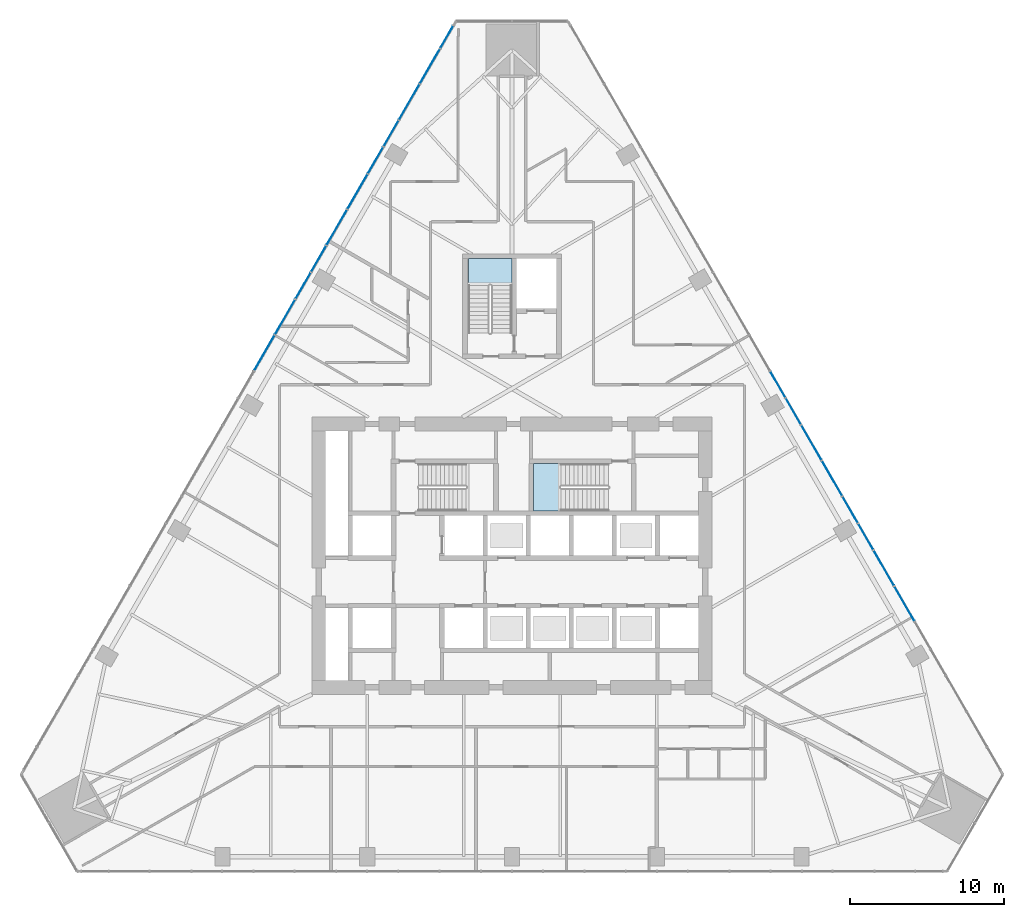
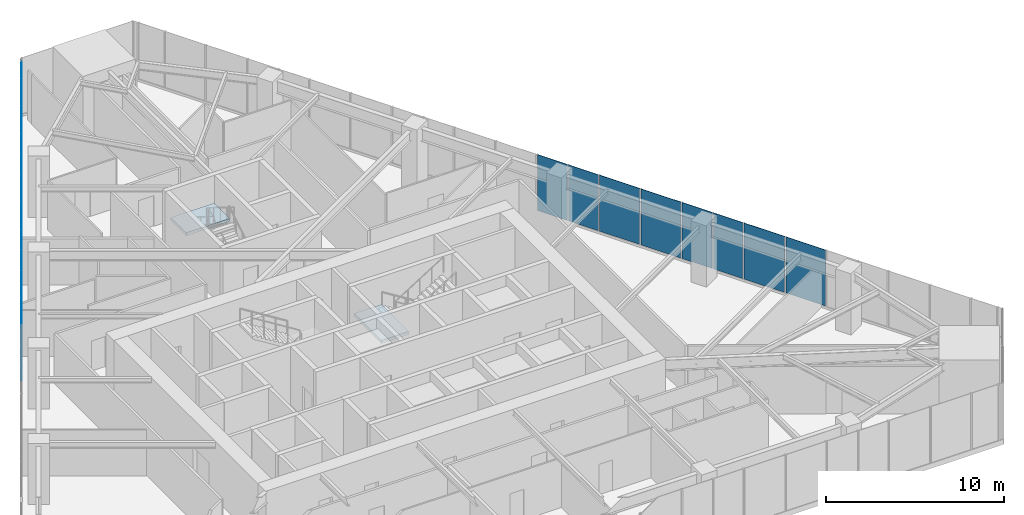
# One storey, part 14 of 21: 19 plates, 2 slabs, 4 elements without a shape of their own.
"""IFC4 building model written with IfcOpenShell, lengths in metres."""

from ifc_helpers import new_model, si_unit, direction, frame, origin, place, context, subcontext, project, spatial, polyline, outline, extrude, material, layer, layer_set, type_object, element, aggregate, save


model = new_model("IFC4")

# Units and contexts
model_context = context("Model", 3, precision=1e-05, world=origin(), true_north=direction((0.0, 1.0)))
body_context = subcontext(model_context, "Body", "Model", "MODEL_VIEW")
ifc_project = project(units=[si_unit("LENGTHUNIT", "METRE"), si_unit("AREAUNIT", "SQUARE_METRE"), si_unit("VOLUMEUNIT", "CUBIC_METRE"), si_unit("PLANEANGLEUNIT", "RADIAN"), si_unit("MASSUNIT", "GRAM", prefix="KILO")], contexts=[model_context])

# Site, building, storey
site_placement = place(None, origin())
site = spatial("IfcSite", under=ifc_project, at=site_placement, CompositionType="ELEMENT")
building_placement = place(site_placement, origin())
building = spatial("IfcBuilding", under=site, at=building_placement, Name="Firuza Gate Tower and Library", CompositionType="ELEMENT")
storey_placement = place(building_placement, frame((0.0, 0.0, 98.800048828125)))
storey = spatial("IfcBuildingStorey", under=building, at=storey_placement, Name="L22", CompositionType="ELEMENT", Elevation=98.800048828125)

# Curtain wall, plates
ifc_material_1 = material(Name="Aluminium 6063-T6", Category="aluminium")
ifc_layer_1 = layer(ifc_material_1, 0.14990234375)
ifc_layer_set_1 = layer_set([ifc_layer_1], Name="Unitised curtain wall, offices")
curtain_wall_type = type_object("IfcCurtainWallType", Name="Unitised curtain wall, offices", PredefinedType="NOTDEFINED", material=ifc_layer_set_1)
placement_1 = place(storey_placement, origin())
curtain_wall_1 = element("IfcCurtainWall", 1, at=placement_1, inside=storey, type_object=curtain_wall_type, Name="CW1 L22 E face", PredefinedType="NOTDEFINED")
ifc_material_2 = material(Name="Fritted glass", Category="glass")
ifc_layer_2 = layer(ifc_material_2, 0.030029296875)
ifc_layer_set_2 = layer_set([ifc_layer_2], Name="Fritted glass unit, offices")
plate_type_1 = type_object("IfcPlateType", Name="Fritted glass unit, offices", PredefinedType="CURTAIN_PANEL", material=ifc_layer_set_2)
plate_1_placement = place(storey_placement, frame((98.47314453125, 75.41162109375, 0.14990234375), z_axis=(0.866022735809, 0.500004621041, 0.0), x_axis=(-0.500004621041, 0.866022735809, 0.0)))
plate_1 = element("IfcPlate", 2, at=plate_1_placement, type_object=plate_type_1, Name="Glass unit", PredefinedType="CURTAIN_PANEL", context=body_context, shape_type="SweptSolid", body=[
    extrude(outline(polyline([(0.0, 0.0), (1.9223455147749466, 0.0), (1.9223455147749466, 3.85009765625), (0.0, 3.85009765625), (0.0, 0.0)])), origin(), (0.0, 0.0, -1.0), 0.030029296875),
])
plate_2_placement = place(storey_placement, frame((97.471923828125, 77.1455078125, 0.14990234375), z_axis=(0.866016800201, 0.500014901547, 0.0), x_axis=(-0.500014901547, 0.866016800201, 0.0)))
plate_2 = element("IfcPlate", 3, at=plate_2_placement, type_object=plate_type_1, Name="Glass unit", PredefinedType="CURTAIN_PANEL", context=body_context, shape_type="SweptSolid", body=[
    extrude(outline(polyline([(0.0, 0.0), (1.9511137257751934, 0.0), (1.9511137257751934, 3.850097656250001), (0.0, 3.850097656250001), (0.0, 0.0)])), origin(), (0.0, 0.0, -1.0), 0.030029296875),
])
plate_3_placement = place(storey_placement, frame((93.771240234375, 83.55517578125, 0.14990234375), z_axis=(0.866047038303, 0.499962526042, 0.0), x_axis=(-0.499962526042, 0.866047038303, 0.0)))
plate_3 = element("IfcPlate", 4, at=plate_3_placement, type_object=plate_type_1, Name="Glass unit", PredefinedType="CURTAIN_PANEL", context=body_context, shape_type="SweptSolid", body=[
    extrude(outline(polyline([(0.0, 0.0), (1.936668586773777, 0.0), (1.936668586773777, 3.85009765625), (0.0, 3.85009765625), (0.0, 0.0)])), origin(), (0.0, 0.0, -1.0), 0.030029296875),
])
plate_4_placement = place(storey_placement, frame((92.762939453125, 85.3017578125, 0.14990234375), z_axis=(0.866047038303, 0.499962526042, 0.0), x_axis=(-0.499962526042, 0.866047038303, 0.0)))
plate_4 = element("IfcPlate", 5, at=plate_4_placement, type_object=plate_type_1, Name="Glass unit", PredefinedType="CURTAIN_PANEL", context=body_context, shape_type="SweptSolid", body=[
    extrude(outline(polyline([(0.0, 0.0), (1.936668586773777, 0.0), (1.936668586773777, 3.85009765625), (0.0, 3.85009765625), (0.0, 0.0)])), origin(), (0.0, 0.0, -1.0), 0.030029296875),
])

curtain_wall_2 = element("IfcCurtainWall", 6, at=placement_1, inside=storey, type_object=curtain_wall_type, Name="CW1 L22 W face", PredefinedType="NOTDEFINED")
plate_5_placement = place(storey_placement, frame((71.158203125, 109.413818359375, 0.14990234375), z_axis=(-0.866020385251, 0.500008692254, 0.0), x_axis=(-0.500008692254, -0.866020385251, 0.0)))
plate_5 = element("IfcPlate", 7, at=plate_5_placement, type_object=plate_type_1, Name="Glass unit", PredefinedType="CURTAIN_PANEL", context=body_context, shape_type="SweptSolid", body=[
    extrude(outline(polyline([(0.0, 0.0), (1.6488971159851995, 0.0), (1.6488971159851995, 3.85009765625), (0.0, 3.85009765625), (0.0, 0.0)])), origin(), (0.0, 0.0, -1.0), 0.030029296875),
])
plate_6_placement = place(storey_placement, frame((67.608642578125, 103.26611328125, 0.14990234375), z_axis=(-0.866053474134, 0.499951377577, 0.0), x_axis=(-0.499951377577, -0.866053474134, 0.0)))
plate_6 = element("IfcPlate", 8, at=plate_6_placement, type_object=plate_type_1, Name="Glass unit", PredefinedType="CURTAIN_PANEL", context=body_context, shape_type="SweptSolid", body=[
    extrude(outline(polyline([(0.0, 0.0), (1.9079003772288752, 0.0), (1.9079003772288752, 3.85009765625), (0.0, 3.85009765625), (0.0, 0.0)])), origin(), (0.0, 0.0, -1.0), 0.030029296875),
])
plate_7_placement = place(storey_placement, frame((66.61474609375, 101.54443359375, 0.14990234375), z_axis=(-0.866040790738, 0.499973348067, 0.0), x_axis=(-0.499973348067, -0.866040790738, 0.0)))
plate_7 = element("IfcPlate", 9, at=plate_7_placement, type_object=plate_type_1, Name="Glass unit", PredefinedType="CURTAIN_PANEL", context=body_context, shape_type="SweptSolid", body=[
    extrude(outline(polyline([(0.0, 0.0), (1.9654367966302058, 0.0), (1.9654367966302058, 3.85009765625), (0.0, 3.85009765625), (0.0, 0.0)])), origin(), (0.0, 0.0, -1.0), 0.030029296875),
])
plate_8_placement = place(storey_placement, frame((62.906982421875, 95.12255859375, 0.14990234375), z_axis=(-0.866022735809, 0.500004621041, 0.0), x_axis=(-0.500004621041, -0.866022735809, 0.0)))
plate_8 = element("IfcPlate", 10, at=plate_8_placement, type_object=plate_type_1, Name="Glass unit", PredefinedType="CURTAIN_PANEL", context=body_context, shape_type="SweptSolid", body=[
    extrude(outline(polyline([(0.0, 0.0), (1.9223455147749466, 0.0), (1.9223455147749466, 3.85009765625), (0.0, 3.85009765625), (0.0, 0.0)])), origin(), (0.0, 0.0, -1.0), 0.030029296875),
])
plate_9_placement = place(storey_placement, frame((61.906005859375, 93.388427734375, 0.14990234375), z_axis=(-0.866016800201, 0.500014901547, 0.0), x_axis=(-0.500014901547, -0.866016800201, 0.0)))
plate_9 = element("IfcPlate", 11, at=plate_9_placement, type_object=plate_type_1, Name="Glass unit", PredefinedType="CURTAIN_PANEL", context=body_context, shape_type="SweptSolid", body=[
    extrude(outline(polyline([(0.0, 0.0), (1.9511137257751934, 0.0), (1.9511137257751934, 3.850097656250001), (0.0, 3.850097656250001), (0.0, 0.0)])), origin(), (0.0, 0.0, -1.0), 0.030029296875),
])

# Plate
ifc_material_3 = material(Name="Glazed ceramic tile")
ifc_layer_3 = layer(ifc_material_3, 0.030029296875)
ifc_layer_set_3 = layer_set([ifc_layer_3], Name="Opaque ceramic panel, offices")
plate_type_2 = type_object("IfcPlateType", Name="Opaque ceramic panel, offices", PredefinedType="CURTAIN_PANEL", material=ifc_layer_set_3)
plate_10_placement = place(storey_placement, frame((101.157958984375, 70.760986328125, 0.14990234375), z_axis=(0.866059689451, 0.499940610781, 0.0), x_axis=(-0.499940610781, 0.866059689451, 0.0)))
plate_10 = element("IfcPlate", 12, at=plate_10_placement, type_object=plate_type_2, Name="Opaque ceramic panel", PredefinedType="CURTAIN_PANEL", context=body_context, shape_type="SweptSolid", body=[
    extrude(outline(polyline([(0.0, 0.0), (2.583314654580135, 0.0), (2.583314654580135, 3.85009765625), (0.0, 3.85009765625), (0.0, 0.0)])), origin(), (0.0, 0.0, -1.0), 0.030029296875),
])

plate_11_placement = place(storey_placement, frame((99.826416015625, 73.067626953125, 0.14990234375), z_axis=(0.865992095402, 0.500057687374, 0.0), x_axis=(-0.500057687374, 0.865992095402, 0.0)))
plate_11 = element("IfcPlate", 13, at=plate_11_placement, type_object=plate_type_2, Name="Opaque ceramic panel", PredefinedType="CURTAIN_PANEL", context=body_context, shape_type="SweptSolid", body=[
    extrude(outline(polyline([(0.0, 0.0), (2.626650075910507, 0.0), (2.626650075910507, 3.85009765625), (0.0, 3.85009765625), (0.0, 0.0)])), origin(), (0.0, 0.0, -1.0), 0.030029296875),
])

plate_12_placement = place(storey_placement, frame((96.456298828125, 78.904541015625, 0.14990234375), z_axis=(0.866036909293, 0.499980071345, 0.0), x_axis=(-0.499980071345, 0.866036909293, 0.0)))
plate_12 = element("IfcPlate", 14, at=plate_12_placement, type_object=plate_type_2, Name="Opaque ceramic panel", PredefinedType="CURTAIN_PANEL", context=body_context, shape_type="SweptSolid", body=[
    extrude(outline(polyline([(0.0, 0.0), (2.597759789719434, 0.0), (2.597759789719434, 3.85009765625), (0.0, 3.85009765625), (0.0, 0.0)])), origin(), (0.0, 0.0, -1.0), 0.030029296875),
])

plate_13_placement = place(storey_placement, frame((95.117431640625, 81.2236328125, 0.14990234375), z_axis=(0.86601437931, 0.500019094464, 0.0), x_axis=(-0.500019094464, 0.86601437931, 0.0)))
plate_13 = element("IfcPlate", 15, at=plate_13_placement, type_object=plate_type_2, Name="Opaque ceramic panel", PredefinedType="CURTAIN_PANEL", context=body_context, shape_type="SweptSolid", body=[
    extrude(outline(polyline([(0.0, 0.0), (2.612204930192223, 0.0), (2.612204930192223, 3.85009765625), (0.0, 3.85009765625), (0.0, 0.0)])), origin(), (0.0, 0.0, -1.0), 0.030029296875),
])

aggregate(curtain_wall_1, [plate_10, plate_11, plate_1, plate_2, plate_12, plate_13, plate_3, plate_4])

plate_14_placement = place(storey_placement, frame((70.293701171875, 107.91650390625, 0.14990234375), z_axis=(-0.866017817033, 0.500013140409, 0.0), x_axis=(-0.500013140409, -0.866017817033, 0.0)))
plate_14 = element("IfcPlate", 16, at=plate_14_placement, type_object=plate_type_2, Name="Opaque ceramic panel", PredefinedType="CURTAIN_PANEL", context=body_context, shape_type="SweptSolid", body=[
    extrude(outline(polyline([(0.0, 0.0), (2.568780146605227, 0.0), (2.568780146605227, 3.85009765625), (0.0, 3.85009765625), (0.0, 0.0)])), origin(), (0.0, 0.0, -1.0), 0.030029296875),
])

plate_15_placement = place(storey_placement, frame((68.96923828125, 105.62255859375, 0.14990234375), z_axis=(-0.866033195618, 0.499986503906, 0.0), x_axis=(-0.499986503906, -0.866033195618, 0.0)))
plate_15 = element("IfcPlate", 17, at=plate_15_placement, type_object=plate_type_2, Name="Opaque ceramic panel", PredefinedType="CURTAIN_PANEL", context=body_context, shape_type="SweptSolid", body=[
    extrude(outline(polyline([(0.0, 0.0), (2.6411845726001113, 0.0), (2.6411845726001113, 3.85009765625), (0.0, 3.85009765625), (0.0, 0.0)])), origin(), (0.0, 0.0, -1.0), 0.030029296875),
])

plate_16_placement = place(storey_placement, frame((65.592041015625, 99.77294921875, 0.14990234375), z_axis=(-0.866018769109, 0.500011491418, 0.0), x_axis=(-0.500011491418, -0.866018769109, 0.0)))
plate_16 = element("IfcPlate", 18, at=plate_16_placement, type_object=plate_type_2, Name="Opaque ceramic panel", PredefinedType="CURTAIN_PANEL", context=body_context, shape_type="SweptSolid", body=[
    extrude(outline(polyline([(0.0, 0.0), (2.58343671904594, 0.0), (2.58343671904594, 3.850097656250001), (0.0, 3.850097656250001), (0.0, 0.0)])), origin(), (0.0, 0.0, -1.0), 0.030029296875),
])

plate_17_placement = place(storey_placement, frame((64.26025390625, 97.466552734375, 0.14990234375), z_axis=(-0.86605557906, 0.499947731247, 0.0), x_axis=(-0.499947731247, -0.86605557906, 0.0)))
plate_17 = element("IfcPlate", 19, at=plate_17_placement, type_object=plate_type_2, Name="Opaque ceramic panel", PredefinedType="CURTAIN_PANEL", context=body_context, shape_type="SweptSolid", body=[
    extrude(outline(polyline([(0.0, 0.0), (2.6267394365378003, 0.0), (2.6267394365378003, 3.85009765625), (0.0, 3.85009765625), (0.0, 0.0)])), origin(), (0.0, 0.0, -1.0), 0.030029296875),
])

plate_18_placement = place(storey_placement, frame((60.890380859375, 91.62939453125, 0.14990234375), z_axis=(-0.866036909293, 0.499980071345, 0.0), x_axis=(-0.499980071345, -0.866036909293, 0.0)))
plate_18 = element("IfcPlate", 20, at=plate_18_placement, type_object=plate_type_2, Name="Opaque ceramic panel", PredefinedType="CURTAIN_PANEL", context=body_context, shape_type="SweptSolid", body=[
    extrude(outline(polyline([(0.0, 0.0), (2.597759789719434, 0.0), (2.597759789719434, 3.85009765625), (0.0, 3.85009765625), (0.0, 0.0)])), origin(), (0.0, 0.0, -1.0), 0.030029296875),
])

plate_19_placement = place(storey_placement, frame((59.551513671875, 89.310302734375, 0.14990234375), z_axis=(-0.86601437931, 0.500019094464, 0.0), x_axis=(-0.500019094464, -0.86601437931, 0.0)))
plate_19 = element("IfcPlate", 21, at=plate_19_placement, type_object=plate_type_2, Name="Opaque ceramic panel", PredefinedType="CURTAIN_PANEL", context=body_context, shape_type="SweptSolid", body=[
    extrude(outline(polyline([(0.0, 0.0), (2.612204930192223, 0.0), (2.612204930192223, 3.85009765625), (0.0, 3.85009765625), (0.0, 0.0)])), origin(), (0.0, 0.0, -1.0), 0.030029296875),
])

aggregate(curtain_wall_2, [plate_5, plate_14, plate_15, plate_6, plate_7, plate_16, plate_17, plate_8, plate_9, plate_18, plate_19])

# Stair, slab
ifc_material_4 = material(Name="Concrete C35/45", Category="concrete")
stair_type_1 = type_object("IfcStairType", Name="Exit stair ST5", PredefinedType="HALF_TURN_STAIR", material=ifc_material_4)
stair_1 = element("IfcStair", 22, at=placement_1, inside=storey, type_object=stair_type_1, Name="L22 Stair ST2", PredefinedType="HALF_TURN_STAIR")
ifc_material_5 = material(Name="Concrete C35/45", Category="concrete")
ifc_layer_4 = layer(ifc_material_5, 0.199951171875)
ifc_layer_set_4 = layer_set([ifc_layer_4], Name="Stair landing 200")
slab_type = type_object("IfcSlabType", Name="Stair landing 200", PredefinedType="LANDING", material=ifc_layer_set_4)
placement_2 = place(storey_placement, frame((0.0, 0.0, 1.89990234375)))
slab_1 = element("IfcSlab", 23, at=placement_2, type_object=slab_type, Name="ST2 landing 1", PredefinedType="LANDING", context=body_context, shape_type="SweptSolid", body=[
    extrude(outline(polyline([(78.179931640625, 80.97998046875), (76.389892578125, 80.97998046875), (76.389892578125, 77.89990234375), (78.179931640625, 77.89990234375), (78.179931640625, 80.97998046875)])), origin(), (0.0, 0.0, 1.0), 0.199951171875),
])
aggregate(stair_1, [slab_1])

ifc_material_6 = material(Name="Concrete C35/45", Category="concrete")
stair_type_2 = type_object("IfcStairType", Name="Exit stair ST14", PredefinedType="HALF_TURN_STAIR", material=ifc_material_6)
stair_2 = element("IfcStair", 24, at=placement_1, inside=storey, type_object=stair_type_2, Name="L22 Stair ST3", PredefinedType="HALF_TURN_STAIR")
slab_2 = element("IfcSlab", 25, at=placement_2, type_object=slab_type, Name="ST3 landing 1", PredefinedType="LANDING", context=body_context, shape_type="SweptSolid", body=[
    extrude(outline(polyline([(75.0, 92.550048828125), (75.0, 94.300048828125), (72.159912109375, 94.300048828125), (72.159912109375, 92.550048828125), (75.0, 92.550048828125)])), origin(), (0.0, 0.0, 1.0), 0.199951171875),
])
aggregate(stair_2, [slab_2])

save(model, "model.ifc")
